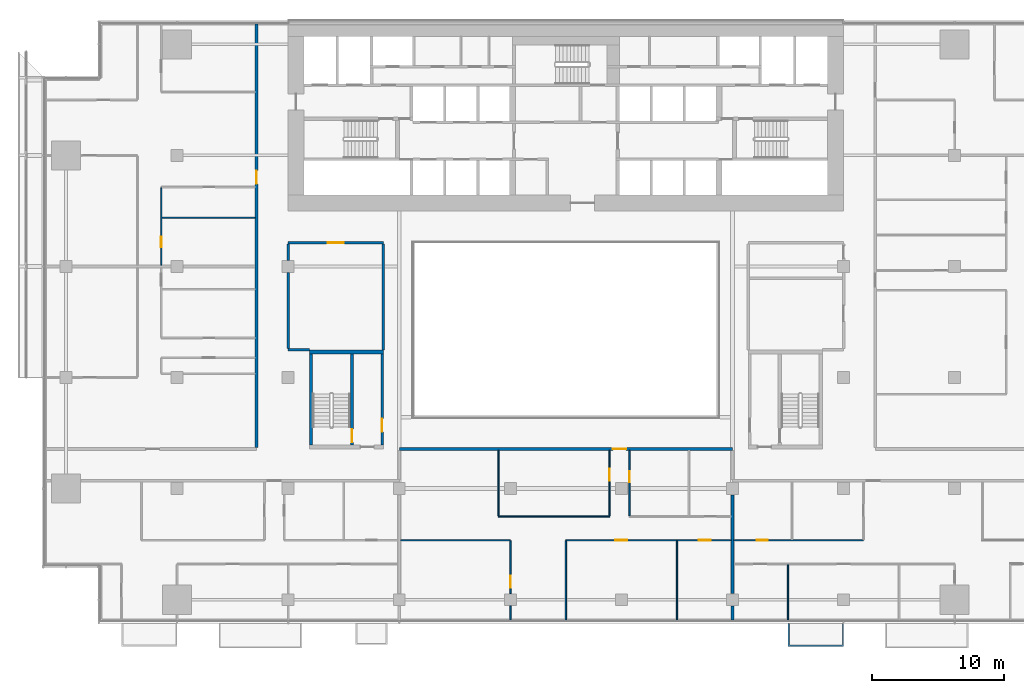
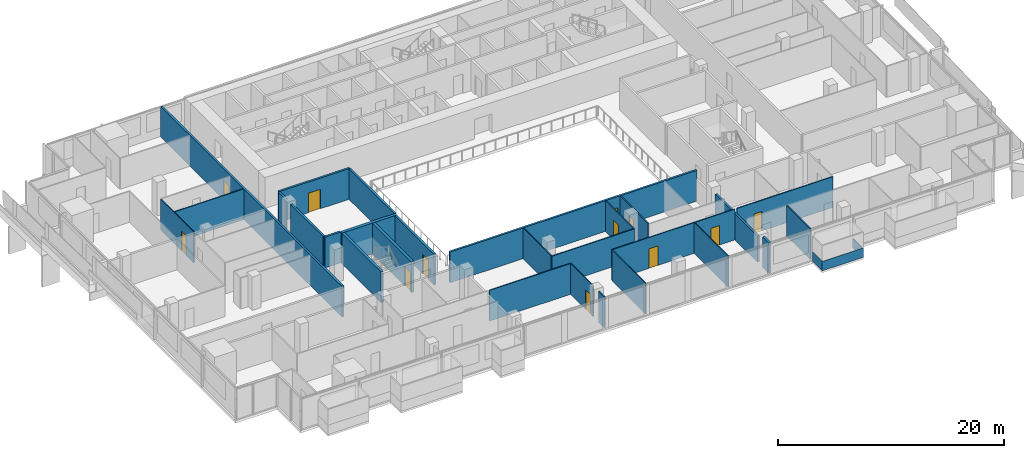
# One storey, part 19 of 28: 28 walls, 12 doors, 12 openings.
"""IFC4 building model written with IfcOpenShell, lengths in metres."""

from ifc_helpers import new_model, si_unit, direction, frame, frame_2d, origin, place, context, subcontext, project, spatial, polyline, rectangle, outline, extrude, material, layer, layer_set, type_object, element, fill, save


model = new_model("IFC4")

# Units and contexts
model_context = context("Model", 3, precision=1e-05, world=origin(), true_north=direction((0.0, 1.0)))
body_context = subcontext(model_context, "Body", "Model", "MODEL_VIEW")
ifc_project = project(units=[si_unit("LENGTHUNIT", "METRE"), si_unit("AREAUNIT", "SQUARE_METRE"), si_unit("VOLUMEUNIT", "CUBIC_METRE"), si_unit("PLANEANGLEUNIT", "RADIAN"), si_unit("MASSUNIT", "GRAM", prefix="KILO")], contexts=[model_context])

# Site, building, storey
site_placement = place(None, origin())
site = spatial("IfcSite", under=ifc_project, at=site_placement, CompositionType="ELEMENT")
building_placement = place(site_placement, origin())
building = spatial("IfcBuilding", under=site, at=building_placement, Name="Saffron Gate Tower", CompositionType="ELEMENT")
storey_placement = place(building_placement, frame((0.0, 0.0, 51.60009765625)))
storey = spatial("IfcBuildingStorey", under=building, at=storey_placement, Name="L11", CompositionType="ELEMENT", Elevation=51.60009765625)

# Wall, opening, door
ifc_material_1 = material(Name="Gypsum board partition on steel studs", Category="steel")
ifc_layer_1 = layer(ifc_material_1, 0.199951171875)
ifc_layer_set_1 = layer_set([ifc_layer_1], Name="CW10 Core partition 200")
wall_type_1 = type_object("IfcWallType", Name="CW10 Core partition 200", PredefinedType="PARTITIONING", material=ifc_layer_set_1)
wall_1_placement = place(storey_placement, frame((73.699951171875, 43.5, 0.0), z_axis=(0.0, 0.0, 1.0), x_axis=(0.0, 1.0, 0.0)))
wall_1 = element("IfcWall", 1, at=wall_1_placement, inside=storey, type_object=wall_type_1, Name="Wall CW10-L11-D-4", PredefinedType="PARTITIONING", context=body_context, shape_type="SweptSolid", body=[
    extrude(rectangle(XDim=6.89990234375, YDim=0.199951171875, at=frame_2d((3.449951171875, 0.0))), origin(), (0.0, 0.0, 1.0), 3.31982421875),
])
opening_1_placement = place(wall_1_placement, frame((1.0, 0.0, 0.0)))
opening_1 = element("IfcOpeningElement", 2, at=opening_1_placement, cuts=wall_1, Name="Opening CR-19", PredefinedType="OPENING", context=body_context, shape_type="SweptSolid", body=[
    extrude(rectangle(XDim=1.0, YDim=2.10009765625, at=frame_2d((0.5, 1.050048828125))), frame((0.0, 0.10986328125, 0.0), z_axis=(0.0, -1.0, 0.0), x_axis=(1.0, 0.0, 0.0)), (0.0, 0.0, 1.0), 0.219970703125),
])
ifc_material_2 = material(Name="Steel fire door set", Category="steel")
door_type_1 = type_object("IfcDoorType", Name="CD4 Lobby door 1000x2100 EI 120", OperationType="NOTDEFINED", PredefinedType="DOOR", material=ifc_material_2)
door_1_placement = place(opening_1_placement, origin())
door_1 = element("IfcDoor", 3, at=door_1_placement, inside=storey, type_object=door_type_1, Name="DOOR CR-19", OperationType="SINGLE_SWING_RIGHT", OverallHeight=2.10009765625, OverallWidth=1.0, PredefinedType="DOOR", context=body_context, shape_type="SweptSolid", body=[
    extrude(rectangle(XDim=1.0, YDim=2.10009765625, at=frame_2d((0.5, 1.050048828125))), frame((0.0, 0.02490234375, 0.0), z_axis=(0.0, -1.0, 0.0), x_axis=(1.0, 0.0, 0.0)), (0.0, 0.0, 1.0), 0.050048828125),
])
fill(opening_1, door_1)

# Wall
ifc_material_3 = material(Name="Concrete C70", Category="concrete")
ifc_layer_2 = layer(ifc_material_3, 0.25)
ifc_layer_set_2 = layer_set([ifc_layer_2], Name="CW2 RC core wall 250 C70")
wall_type_2 = type_object("IfcWallType", Name="CW2 RC core wall 250 C70", PredefinedType="SOLIDWALL", material=ifc_layer_set_2)
wall_2_placement = place(storey_placement, frame((68.324951171875, 43.5, 0.0), z_axis=(0.0, 0.0, 1.0), x_axis=(0.0, 1.0, 0.0)))
element("IfcWall", 4, at=wall_2_placement, inside=storey, type_object=wall_type_2, Name="Wall CW2-L11-D-2", PredefinedType="SOLIDWALL", context=body_context, shape_type="SweptSolid", body=[
    extrude(rectangle(XDim=6.89990234375, YDim=0.25, at=frame_2d((3.449951171875, 0.0))), origin(), (0.0, 0.0, 1.0), 3.31982421875),
])

# Wall, opening, door
wall_3_placement = place(storey_placement, frame((71.425048828125, 43.5, 0.0), z_axis=(0.0, 0.0, 1.0), x_axis=(0.0, 1.0, 0.0)))
wall_3 = element("IfcWall", 5, at=wall_3_placement, inside=storey, type_object=wall_type_2, Name="Wall CW2-L11-D-3", PredefinedType="SOLIDWALL", context=body_context, shape_type="SweptSolid", body=[
    extrude(rectangle(XDim=6.89990234375, YDim=0.25, at=frame_2d((3.449951171875, 0.0))), origin(), (0.0, 0.0, 1.0), 3.31982421875),
])
opening_2_placement = place(wall_3_placement, frame((0.199951171875, 0.0, 0.0)))
opening_2 = element("IfcOpeningElement", 6, at=opening_2_placement, cuts=wall_3, Name="Opening CR-20", PredefinedType="OPENING", context=body_context, shape_type="SweptSolid", body=[
    extrude(rectangle(XDim=1.0, YDim=2.10009765625, at=frame_2d((0.5, 1.050048828125))), frame((0.0, 0.135009765625, 0.0), z_axis=(0.0, -1.0, 0.0), x_axis=(1.0, 0.0, 0.0)), (0.0, 0.0, 1.0), 0.27001953125),
])
door_type_2 = type_object("IfcDoorType", Name="CD5 Stair door 1000x2100 EI 120", OperationType="NOTDEFINED", PredefinedType="DOOR", material=ifc_material_2)
door_2_placement = place(opening_2_placement, origin())
door_2 = element("IfcDoor", 7, at=door_2_placement, inside=storey, type_object=door_type_2, Name="DOOR CR-20", OperationType="SINGLE_SWING_LEFT", OverallHeight=2.10009765625, OverallWidth=1.0, PredefinedType="DOOR", context=body_context, shape_type="SweptSolid", body=[
    extrude(rectangle(XDim=1.0, YDim=2.10009765625, at=frame_2d((0.5, 1.050048828125))), frame((0.0, 0.02490234375, 0.0), z_axis=(0.0, -1.0, 0.0), x_axis=(1.0, 0.0, 0.0)), (0.0, 0.0, 1.0), 0.050048828125),
])
fill(opening_2, door_2)

# Walls
ifc_layer_3 = layer(ifc_material_3, 0.300048828125)
ifc_layer_set_3 = layer_set([ifc_layer_3], Name="CW5 RC core wall 300 C70")
wall_type_3 = type_object("IfcWallType", Name="CW5 RC core wall 300 C70", PredefinedType="SOLIDWALL", material=ifc_layer_set_3)
wall_4_placement = place(storey_placement, frame((68.199951171875, 50.550048828125, 0.0), z_axis=(0.0, 0.0, 1.0), x_axis=(1.0, 0.0, 0.0)))
element("IfcWall", 8, at=wall_4_placement, inside=storey, type_object=wall_type_3, Name="Wall CW5-L11-D-5", PredefinedType="SOLIDWALL", context=body_context, shape_type="SweptSolid", body=[
    extrude(rectangle(XDim=5.60009765625, YDim=0.300048828125, at=frame_2d((2.800048828125, 0.0))), origin(), (0.0, 0.0, 1.0), 3.31982421875),
])
ifc_material_4 = material(Name="Plasterboard on steel studs", Category="steel")
ifc_layer_4 = layer(ifc_material_4, 0.10009765625)
ifc_layer_set_4 = layer_set([ifc_layer_4], Name="PW1 Partition 100")
wall_type_4 = type_object("IfcWallType", Name="PW1 Partition 100", PredefinedType="PARTITIONING", material=ifc_layer_set_4)
wall_5_placement = place(storey_placement, frame((82.5, 38.10009765625, 0.0), z_axis=(0.0, 0.0, 1.0), x_axis=(1.0, 0.0, 0.0)))
element("IfcWall", 9, at=wall_5_placement, inside=storey, type_object=wall_type_4, Name="Partition A2-7", PredefinedType="PARTITIONING", context=body_context, shape_type="SweptSolid", body=[
    extrude(rectangle(XDim=8.39990234375, YDim=0.10009765625, at=frame_2d((4.199951171875, 0.0))), origin(), (0.0, 0.0, 1.0), 3.31982421875),
])
wall_6_placement = place(storey_placement, frame((57.050048828125, 60.6806640625, 0.0), z_axis=(0.0, 0.0, 1.0), x_axis=(1.0, 0.0, 0.0)))
element("IfcWall", 10, at=wall_6_placement, inside=storey, type_object=wall_type_4, Name="Partition A2-40", PredefinedType="PARTITIONING", context=body_context, shape_type="SweptSolid", body=[
    extrude(rectangle(XDim=7.050048828125, YDim=0.10009765625, at=frame_2d((3.52490234375, 0.0))), origin(), (0.0, 0.0, 1.0), 3.31982421875),
])
wall_7_placement = place(storey_placement, frame((82.5, 43.10009765625, 0.0), z_axis=(0.0, 0.0, 1.0), x_axis=(0.0, -1.0, 0.0)))
element("IfcWall", 11, at=wall_7_placement, inside=storey, type_object=wall_type_4, Name="Partition A2-71", PredefinedType="PARTITIONING", context=body_context, shape_type="SweptSolid", body=[
    extrude(rectangle(XDim=4.9501953125, YDim=0.10009765625, at=frame_2d((2.47509765625, 0.0))), origin(), (0.0, 0.0, 1.0), 3.31982421875),
])
wall_8_placement = place(storey_placement, frame((83.39990234375, 31.330078125, 0.0), z_axis=(0.0, 0.0, 1.0), x_axis=(0.0, -1.0, 0.0)))
element("IfcWall", 12, at=wall_8_placement, inside=storey, type_object=wall_type_4, Name="Partition A2-72", PredefinedType="PARTITIONING", context=body_context, shape_type="SweptSolid", body=[
    extrude(rectangle(XDim=1.050048828125, YDim=0.10009765625, at=frame_2d((0.52490234375, 0.0))), origin(), (0.0, 0.0, 1.0), 3.31982421875),
])

# Wall, opening, door
wall_9_placement = place(storey_placement, frame((83.39990234375, 32.27001953125, 0.0), z_axis=(0.0, 0.0, 1.0), x_axis=(0.0, 1.0, 0.0)))
wall_9 = element("IfcWall", 13, at=wall_9_placement, inside=storey, type_object=wall_type_4, Name="Partition A2-73", PredefinedType="PARTITIONING", context=body_context, shape_type="SweptSolid", body=[
    extrude(rectangle(XDim=3.97998046875, YDim=0.10009765625, at=frame_2d((1.989990234375, 0.0))), origin(), (0.0, 0.0, 1.0), 3.31982421875),
])
opening_3_placement = place(wall_9_placement, frame((0.429931640625, 0.0, 0.0)))
opening_3 = element("IfcOpeningElement", 14, at=opening_3_placement, cuts=wall_9, Name="Opening A2-12", PredefinedType="OPENING", context=body_context, shape_type="SweptSolid", body=[
    extrude(rectangle(XDim=0.89990234375, YDim=2.10009765625, at=frame_2d((0.449951171875, 1.050048828125))), frame((0.0, 0.06005859375, 0.0), z_axis=(0.0, -1.0, 0.0), x_axis=(1.0, 0.0, 0.0)), (0.0, 0.0, 1.0), 0.1201171875),
])
ifc_material_5 = material(Name="Timber door set", Category="wood")
door_type_3 = type_object("IfcDoorType", Name="RD1 Room door 900x2100", OperationType="NOTDEFINED", PredefinedType="DOOR", material=ifc_material_5)
door_3_placement = place(opening_3_placement, origin())
door_3 = element("IfcDoor", 15, at=door_3_placement, inside=storey, type_object=door_type_3, Name="Door A2-12", OperationType="SINGLE_SWING_LEFT", OverallHeight=2.10009765625, OverallWidth=0.89990234375, PredefinedType="DOOR", context=body_context, shape_type="SweptSolid", body=[
    extrude(rectangle(XDim=0.89990234375, YDim=2.10009765625, at=frame_2d((0.449951171875, 1.050048828125))), frame((0.0, 0.02490234375, 0.0), z_axis=(0.0, -1.0, 0.0), x_axis=(1.0, 0.0, 0.0)), (0.0, 0.0, 1.0), 0.050048828125),
])
fill(opening_3, door_3)

# Wall
wall_10_placement = place(storey_placement, frame((87.60009765625, 36.25, 0.0), z_axis=(0.0, 0.0, 1.0), x_axis=(0.0, -1.0, 0.0)))
element("IfcWall", 16, at=wall_10_placement, inside=storey, type_object=wall_type_4, Name="Partition A2-74", PredefinedType="PARTITIONING", context=body_context, shape_type="SweptSolid", body=[
    extrude(rectangle(XDim=5.969970703125, YDim=0.10009765625, at=frame_2d((2.98486328125, 0.0))), origin(), (0.0, 0.0, 1.0), 3.31982421875),
])

# Wall, opening, door
wall_11_placement = place(storey_placement, frame((90.89990234375, 38.14990234375, 0.0), z_axis=(0.0, 0.0, 1.0), x_axis=(0.0, 1.0, 0.0)))
wall_11 = element("IfcWall", 17, at=wall_11_placement, inside=storey, type_object=wall_type_4, Name="Partition A2-75", PredefinedType="PARTITIONING", context=body_context, shape_type="SweptSolid", body=[
    extrude(rectangle(XDim=4.9501953125, YDim=0.10009765625, at=frame_2d((2.47509765625, 0.0))), origin(), (0.0, 0.0, 1.0), 3.31982421875),
])
opening_4_placement = place(wall_11_placement, frame((2.64990234375, 0.0, 0.0)))
opening_4 = element("IfcOpeningElement", 18, at=opening_4_placement, cuts=wall_11, Name="Opening A2-15", PredefinedType="OPENING", context=body_context, shape_type="SweptSolid", body=[
    extrude(rectangle(XDim=0.89990234375, YDim=2.10009765625, at=frame_2d((0.449951171875, 1.050048828125))), frame((0.0, 0.06005859375, 0.0), z_axis=(0.0, -1.0, 0.0), x_axis=(1.0, 0.0, 0.0)), (0.0, 0.0, 1.0), 0.1201171875),
])
door_4_placement = place(opening_4_placement, origin())
door_4 = element("IfcDoor", 19, at=door_4_placement, inside=storey, type_object=door_type_3, Name="Door A2-15", OperationType="SINGLE_SWING_RIGHT", OverallHeight=2.10009765625, OverallWidth=0.89990234375, PredefinedType="DOOR", context=body_context, shape_type="SweptSolid", body=[
    extrude(rectangle(XDim=0.89990234375, YDim=2.10009765625, at=frame_2d((0.449951171875, 1.050048828125))), frame((0.0, 0.02490234375, 0.0), z_axis=(0.0, -1.0, 0.0), x_axis=(1.0, 0.0, 0.0)), (0.0, 0.0, 1.0), 0.050048828125),
])
fill(opening_4, door_4)

wall_12_placement = place(storey_placement, frame((92.39990234375, 43.10009765625, 0.0), z_axis=(0.0, 0.0, 1.0), x_axis=(0.0, -1.0, 0.0)))
wall_12 = element("IfcWall", 20, at=wall_12_placement, inside=storey, type_object=wall_type_4, Name="Partition A2-76", PredefinedType="PARTITIONING", context=body_context, shape_type="SweptSolid", body=[
    extrude(rectangle(XDim=4.9501953125, YDim=0.10009765625, at=frame_2d((2.47509765625, 0.0))), origin(), (0.0, 0.0, 1.0), 3.31982421875),
])
opening_5_placement = place(wall_12_placement, frame((1.60009765625, 0.0, 0.0)))
opening_5 = element("IfcOpeningElement", 21, at=opening_5_placement, cuts=wall_12, Name="Opening A2-35", PredefinedType="OPENING", context=body_context, shape_type="SweptSolid", body=[
    extrude(rectangle(XDim=0.800048828125, YDim=2.10009765625, at=frame_2d((0.39990234375, 1.050048828125))), frame((0.0, 0.06005859375, 0.0), z_axis=(0.0, -1.0, 0.0), x_axis=(1.0, 0.0, 0.0)), (0.0, 0.0, 1.0), 0.1201171875),
])
door_type_4 = type_object("IfcDoorType", Name="RD2 Bathroom door 800x2100", OperationType="NOTDEFINED", PredefinedType="DOOR", material=ifc_material_5)
door_5_placement = place(opening_5_placement, origin())
door_5 = element("IfcDoor", 22, at=door_5_placement, inside=storey, type_object=door_type_4, Name="Door A2-35", OperationType="SINGLE_SWING_LEFT", OverallHeight=2.10009765625, OverallWidth=0.800048828125, PredefinedType="DOOR", context=body_context, shape_type="SweptSolid", body=[
    extrude(rectangle(XDim=0.800048828125, YDim=2.10009765625, at=frame_2d((0.39990234375, 1.050048828125))), frame((0.0, 0.02490234375, 0.0), z_axis=(0.0, -1.0, 0.0), x_axis=(1.0, 0.0, 0.0)), (0.0, 0.0, 1.0), 0.050048828125),
])
fill(opening_5, door_5)

# Walls
wall_13_placement = place(storey_placement, frame((96.0, 36.25, 0.0), z_axis=(0.0, 0.0, 1.0), x_axis=(0.0, -1.0, 0.0)))
element("IfcWall", 23, at=wall_13_placement, inside=storey, type_object=wall_type_4, Name="Partition A2-77", PredefinedType="PARTITIONING", context=body_context, shape_type="SweptSolid", body=[
    extrude(rectangle(XDim=5.969970703125, YDim=0.10009765625, at=frame_2d((2.98486328125, 0.0))), origin(), (0.0, 0.0, 1.0), 3.31982421875),
])
wall_14_placement = place(storey_placement, frame((104.39990234375, 34.449951171875, 0.0), z_axis=(0.0, 0.0, 1.0), x_axis=(0.0, -1.0, 0.0)))
element("IfcWall", 24, at=wall_14_placement, inside=storey, type_object=wall_type_4, Name="Partition A2-83", PredefinedType="PARTITIONING", context=body_context, shape_type="SweptSolid", body=[
    extrude(rectangle(XDim=4.169921875, YDim=0.10009765625, at=frame_2d((2.0849609375, 0.0))), origin(), (0.0, 0.0, 1.0), 3.31982421875),
])
wall_15_placement = place(storey_placement, frame((75.10009765625, 36.300048828125, 0.0), z_axis=(0.0, 0.0, 1.0), x_axis=(1.0, 0.0, 0.0)))
element("IfcWall", 25, at=wall_15_placement, inside=storey, type_object=wall_type_4, Name="Partition A2-100", PredefinedType="PARTITIONING", context=body_context, shape_type="SweptSolid", body=[
    extrude(rectangle(XDim=8.2998046875, YDim=0.10009765625, at=frame_2d((4.14990234375, 0.0))), origin(), (0.0, 0.0, 1.0), 3.31982421875),
])

# Wall, openings, doors
wall_16_placement = place(storey_placement, frame((100.10009765625, 36.300048828125, 0.0), z_axis=(0.0, 0.0, 1.0), x_axis=(-1.0, 0.0, 0.0)))
wall_16 = element("IfcWall", 26, at=wall_16_placement, inside=storey, type_object=wall_type_4, Name="Partition A2-101", PredefinedType="PARTITIONING", context=body_context, shape_type="SweptSolid", body=[
    extrude(rectangle(XDim=12.5, YDim=0.10009765625, at=frame_2d((6.25, 0.0))), origin(), (0.0, 0.0, 1.0), 3.31982421875),
])
opening_6_placement = place(wall_16_placement, frame((1.550048828125, 0.0, 0.0)))
opening_6 = element("IfcOpeningElement", 27, at=opening_6_placement, cuts=wall_16, Name="Opening A2-14", PredefinedType="OPENING", context=body_context, shape_type="SweptSolid", body=[
    extrude(rectangle(XDim=0.89990234375, YDim=2.10009765625, at=frame_2d((0.449951171875, 1.050048828125))), frame((0.0, 0.06005859375, 0.0), z_axis=(0.0, -1.0, 0.0), x_axis=(1.0, 0.0, 0.0)), (0.0, 0.0, 1.0), 0.1201171875),
])
opening_7_placement = place(wall_16_placement, frame((7.85009765625, 0.0, 0.0)))
opening_7 = element("IfcOpeningElement", 28, at=opening_7_placement, cuts=wall_16, Name="Opening A2-13", PredefinedType="OPENING", context=body_context, shape_type="SweptSolid", body=[
    extrude(rectangle(XDim=0.89990234375, YDim=2.10009765625, at=frame_2d((0.449951171875, 1.050048828125))), frame((0.0, 0.06005859375, 0.0), z_axis=(0.0, -1.0, 0.0), x_axis=(1.0, 0.0, 0.0)), (0.0, 0.0, 1.0), 0.1201171875),
])
door_6_placement = place(opening_6_placement, origin())
door_6 = element("IfcDoor", 29, at=door_6_placement, inside=storey, type_object=door_type_3, Name="Door A2-14", OperationType="SINGLE_SWING_LEFT", OverallHeight=2.10009765625, OverallWidth=0.89990234375, PredefinedType="DOOR", context=body_context, shape_type="SweptSolid", body=[
    extrude(rectangle(XDim=0.89990234375, YDim=2.10009765625, at=frame_2d((0.449951171875, 1.050048828125))), frame((0.0, 0.02490234375, 0.0), z_axis=(0.0, -1.0, 0.0), x_axis=(1.0, 0.0, 0.0)), (0.0, 0.0, 1.0), 0.050048828125),
])
fill(opening_6, door_6)
door_7_placement = place(opening_7_placement, origin())
door_7 = element("IfcDoor", 30, at=door_7_placement, inside=storey, type_object=door_type_3, Name="Door A2-13", OperationType="SINGLE_SWING_RIGHT", OverallHeight=2.10009765625, OverallWidth=0.89990234375, PredefinedType="DOOR", context=body_context, shape_type="SweptSolid", body=[
    extrude(rectangle(XDim=0.89990234375, YDim=2.10009765625, at=frame_2d((0.449951171875, 1.050048828125))), frame((0.0, 0.02490234375, 0.0), z_axis=(0.0, -1.0, 0.0), x_axis=(1.0, 0.0, 0.0)), (0.0, 0.0, 1.0), 0.050048828125),
])
fill(opening_7, door_7)

# Wall, opening, door
wall_17_placement = place(storey_placement, frame((100.300048828125, 36.300048828125, 0.0), z_axis=(0.0, 0.0, 1.0), x_axis=(1.0, 0.0, 0.0)))
wall_17 = element("IfcWall", 31, at=wall_17_placement, inside=storey, type_object=wall_type_4, Name="Partition A2-102", PredefinedType="PARTITIONING", context=body_context, shape_type="SweptSolid", body=[
    extrude(rectangle(XDim=9.800048828125, YDim=0.10009765625, at=frame_2d((4.89990234375, 0.0))), origin(), (0.0, 0.0, 1.0), 3.31982421875),
])
opening_8_placement = place(wall_17_placement, frame((1.75, 0.0, 0.0)))
opening_8 = element("IfcOpeningElement", 32, at=opening_8_placement, cuts=wall_17, Name="Opening A2-37", PredefinedType="OPENING", context=body_context, shape_type="SweptSolid", body=[
    extrude(rectangle(XDim=0.800048828125, YDim=2.10009765625, at=frame_2d((0.39990234375, 1.050048828125))), frame((0.0, 0.06005859375, 0.0), z_axis=(0.0, -1.0, 0.0), x_axis=(1.0, 0.0, 0.0)), (0.0, 0.0, 1.0), 0.1201171875),
])
door_8_placement = place(opening_8_placement, origin())
door_8 = element("IfcDoor", 33, at=door_8_placement, inside=storey, type_object=door_type_4, Name="Door A2-37", OperationType="SINGLE_SWING_LEFT", OverallHeight=2.10009765625, OverallWidth=0.800048828125, PredefinedType="DOOR", context=body_context, shape_type="SweptSolid", body=[
    extrude(rectangle(XDim=0.800048828125, YDim=2.10009765625, at=frame_2d((0.39990234375, 1.050048828125))), frame((0.0, 0.02490234375, 0.0), z_axis=(0.0, -1.0, 0.0), x_axis=(1.0, 0.0, 0.0)), (0.0, 0.0, 1.0), 0.050048828125),
])
fill(opening_8, door_8)

wall_18_placement = place(storey_placement, frame((57.0, 62.949951171875, 0.0), z_axis=(0.0, 0.0, 1.0), x_axis=(0.0, -1.0, 0.0)))
wall_18 = element("IfcWall", 34, at=wall_18_placement, inside=storey, type_object=wall_type_4, Name="Partition A2-106", PredefinedType="PARTITIONING", context=body_context, shape_type="SweptSolid", body=[
    extrude(rectangle(XDim=5.849853515625, YDim=0.10009765625, at=frame_2d((2.9248046875, 0.0))), origin(), (0.0, 0.0, 1.0), 3.31982421875),
])
opening_9_placement = place(wall_18_placement, frame((3.709716796875, 0.0, 0.0)))
opening_9 = element("IfcOpeningElement", 35, at=opening_9_placement, cuts=wall_18, Name="Opening A2-40", PredefinedType="OPENING", context=body_context, shape_type="SweptSolid", body=[
    extrude(rectangle(XDim=0.800048828125, YDim=2.10009765625, at=frame_2d((0.39990234375, 1.050048828125))), frame((0.0, 0.06005859375, 0.0), z_axis=(0.0, -1.0, 0.0), x_axis=(1.0, 0.0, 0.0)), (0.0, 0.0, 1.0), 0.1201171875),
])
door_9_placement = place(opening_9_placement, origin())
door_9 = element("IfcDoor", 36, at=door_9_placement, inside=storey, type_object=door_type_4, Name="Door A2-40", OperationType="SINGLE_SWING_RIGHT", OverallHeight=2.10009765625, OverallWidth=0.800048828125, PredefinedType="DOOR", context=body_context, shape_type="SweptSolid", body=[
    extrude(rectangle(XDim=0.800048828125, YDim=2.10009765625, at=frame_2d((0.39990234375, 1.050048828125))), frame((0.0, 0.02490234375, 0.0), z_axis=(0.0, -1.0, 0.0), x_axis=(1.0, 0.0, 0.0)), (0.0, 0.0, 1.0), 0.050048828125),
])
fill(opening_9, door_9)

# Walls
ifc_material_6 = material(Name="Clay brick masonry, rendered", Category="masonry")
ifc_layer_5 = layer(ifc_material_6, 0.199951171875)
ifc_layer_set_5 = layer_set([ifc_layer_5], Name="PW2 Demising wall 200")
wall_type_5 = type_object("IfcWallType", Name="PW2 Demising wall 200", PredefinedType="PARTITIONING", material=ifc_layer_set_5)
wall_19_placement = place(storey_placement, frame((100.199951171875, 31.330078125, 0.0), z_axis=(0.0, 0.0, 1.0), x_axis=(0.0, -1.0, 0.0)))
element("IfcWall", 37, at=wall_19_placement, inside=storey, type_object=wall_type_5, Name="Wall A2-80", PredefinedType="PARTITIONING", context=body_context, shape_type="SweptSolid", body=[
    extrude(rectangle(XDim=1.050048828125, YDim=0.199951171875, at=frame_2d((0.52490234375, 0.0))), origin(), (0.0, 0.0, 1.0), 3.31982421875),
])
wall_20_placement = place(storey_placement, frame((100.199951171875, 39.72998046875, 0.0), z_axis=(0.0, 0.0, 1.0), x_axis=(0.0, -1.0, 0.0)))
element("IfcWall", 38, at=wall_20_placement, inside=storey, type_object=wall_type_5, Name="Wall A2-81", PredefinedType="PARTITIONING", context=body_context, shape_type="SweptSolid", body=[
    extrude(rectangle(XDim=7.4599609375, YDim=0.199951171875, at=frame_2d((3.72998046875, 0.0))), origin(), (0.0, 0.0, 1.0), 2.829833984375),
])

# Wall, opening, door
ifc_layer_6 = layer(ifc_material_6, 0.199951171875)
ifc_layer_set_6 = layer_set([ifc_layer_6], Name="PW3 Corridor wall 200")
wall_type_6 = type_object("IfcWallType", Name="PW3 Corridor wall 200", PredefinedType="PARTITIONING", material=ifc_layer_set_6)
wall_21_placement = place(storey_placement, frame((100.199951171875, 43.199951171875, 0.0), z_axis=(0.0, 0.0, 1.0), x_axis=(-1.0, 0.0, 0.0)))
wall_21 = element("IfcWall", 39, at=wall_21_placement, inside=storey, type_object=wall_type_6, Name="Wall A2-14", PredefinedType="PARTITIONING", context=body_context, shape_type="SweptSolid", body=[
    extrude(rectangle(XDim=25.199951171875, YDim=0.199951171875, at=frame_2d((12.60009765625, 0.0))), origin(), (0.0, 0.0, 1.0), 3.31982421875),
])
opening_10_placement = place(wall_21_placement, frame((8.050048828125, 0.0, 0.0)))
opening_10 = element("IfcOpeningElement", 40, at=opening_10_placement, cuts=wall_21, Name="Opening A2-2", PredefinedType="OPENING", context=body_context, shape_type="SweptSolid", body=[
    extrude(rectangle(XDim=1.0, YDim=2.10009765625, at=frame_2d((0.5, 1.050048828125))), frame((0.0, 0.10986328125, 0.0), z_axis=(0.0, -1.0, 0.0), x_axis=(1.0, 0.0, 0.0)), (0.0, 0.0, 1.0), 0.219970703125),
])
ifc_material_7 = material(Name="Timber fire door set", Category="wood")
door_type_5 = type_object("IfcDoorType", Name="FD1 Flat entry door 1000x2100", OperationType="NOTDEFINED", PredefinedType="DOOR", material=ifc_material_7)
door_10_placement = place(opening_10_placement, origin())
door_10 = element("IfcDoor", 41, at=door_10_placement, inside=storey, type_object=door_type_5, Name="Door A2-2", OperationType="SINGLE_SWING_RIGHT", OverallHeight=2.10009765625, OverallWidth=1.0, PredefinedType="DOOR", context=body_context, shape_type="SweptSolid", body=[
    extrude(rectangle(XDim=1.0, YDim=2.10009765625, at=frame_2d((0.5, 1.050048828125))), frame((0.0, 0.02490234375, 0.0), z_axis=(0.0, -1.0, 0.0), x_axis=(1.0, 0.0, 0.0)), (0.0, 0.0, 1.0), 0.050048828125),
])
fill(opening_10, door_10)

# Wall
wall_22_placement = place(storey_placement, frame((66.60009765625, 50.699951171875, 0.0), z_axis=(0.0, 0.0, 1.0), x_axis=(1.0, 0.0, 0.0)))
element("IfcWall", 42, at=wall_22_placement, inside=storey, type_object=wall_type_6, Name="Wall A2-24", PredefinedType="PARTITIONING", context=body_context, shape_type="SweptSolid", body=[
    extrude(rectangle(XDim=1.599853515625, YDim=0.199951171875, at=frame_2d((0.7998046875, 0.0))), origin(), (0.0, 0.0, 1.0), 3.31982421875),
])

# Wall, opening, door
wall_23_placement = place(storey_placement, frame((73.800048828125, 58.800048828125, 0.0), z_axis=(0.0, 0.0, 1.0), x_axis=(-1.0, 0.0, 0.0)))
wall_23 = element("IfcWall", 43, at=wall_23_placement, inside=storey, type_object=wall_type_6, Name="Wall A2-37", PredefinedType="PARTITIONING", context=body_context, shape_type="SweptSolid", body=[
    extrude(rectangle(XDim=7.199951171875, YDim=0.199951171875, at=frame_2d((3.60009765625, 0.0))), origin(), (0.0, 0.0, 1.0), 3.31982421875),
])
opening_11_placement = place(wall_23_placement, frame((3.0, 0.0, 0.0)))
opening_11 = element("IfcOpeningElement", 44, at=opening_11_placement, cuts=wall_23, Name="Opening A2-46", PredefinedType="OPENING", context=body_context, shape_type="SweptSolid", body=[
    extrude(rectangle(XDim=1.199951171875, YDim=2.10009765625, at=frame_2d((0.60009765625, 1.050048828125))), frame((0.0, 0.10986328125, 0.0), z_axis=(0.0, -1.0, 0.0), x_axis=(1.0, 0.0, 0.0)), (0.0, 0.0, 1.0), 0.219970703125),
])
door_type_6 = type_object("IfcDoorType", Name="HD1 Hall door 1200x2100", OperationType="NOTDEFINED", PredefinedType="DOOR", material=ifc_material_5)
door_11_placement = place(opening_11_placement, origin())
door_11 = element("IfcDoor", 45, at=door_11_placement, inside=storey, type_object=door_type_6, Name="Door A2-46", OperationType="SINGLE_SWING_LEFT", OverallHeight=2.10009765625, OverallWidth=1.199951171875, PredefinedType="DOOR", context=body_context, shape_type="SweptSolid", body=[
    extrude(rectangle(XDim=1.199951171875, YDim=2.10009765625, at=frame_2d((0.60009765625, 1.050048828125))), frame((0.0, 0.02490234375, 0.0), z_axis=(0.0, -1.0, 0.0), x_axis=(1.0, 0.0, 0.0)), (0.0, 0.0, 1.0), 0.050048828125),
])
fill(opening_11, door_11)

wall_24_placement = place(storey_placement, frame((64.199951171875, 43.300048828125, 0.0), z_axis=(0.0, 0.0, 1.0), x_axis=(0.0, 1.0, 0.0)))
wall_24 = element("IfcWall", 46, at=wall_24_placement, inside=storey, type_object=wall_type_6, Name="Wall A2-59", PredefinedType="PARTITIONING", context=body_context, shape_type="SweptSolid", body=[
    extrude(rectangle(XDim=32.02001953125, YDim=0.199951171875, at=frame_2d((16.010009765625, 0.0))), origin(), (0.0, 0.0, 1.0), 3.31982421875),
])
opening_12_placement = place(wall_24_placement, frame((19.949951171875, 0.0, 0.0)))
opening_12 = element("IfcOpeningElement", 47, at=opening_12_placement, cuts=wall_24, Name="Opening A2-5", PredefinedType="OPENING", context=body_context, shape_type="SweptSolid", body=[
    extrude(rectangle(XDim=1.0, YDim=2.10009765625, at=frame_2d((0.5, 1.050048828125))), frame((0.0, 0.10986328125, 0.0), z_axis=(0.0, -1.0, 0.0), x_axis=(1.0, 0.0, 0.0)), (0.0, 0.0, 1.0), 0.219970703125),
])
door_12_placement = place(opening_12_placement, origin())
door_12 = element("IfcDoor", 48, at=door_12_placement, inside=storey, type_object=door_type_5, Name="Door A2-5", OperationType="SINGLE_SWING_RIGHT", OverallHeight=2.10009765625, OverallWidth=1.0, PredefinedType="DOOR", context=body_context, shape_type="SweptSolid", body=[
    extrude(rectangle(XDim=1.0, YDim=2.10009765625, at=frame_2d((0.5, 1.050048828125))), frame((0.0, 0.02490234375, 0.0), z_axis=(0.0, -1.0, 0.0), x_axis=(1.0, 0.0, 0.0)), (0.0, 0.0, 1.0), 0.050048828125),
])
fill(opening_12, door_12)

# Walls
wall_25_placement = place(storey_placement, frame((66.60009765625, 56.530029296875, 0.0), z_axis=(0.0, 0.0, 1.0), x_axis=(0.0, -1.0, 0.0)))
element("IfcWall", 49, at=wall_25_placement, inside=storey, type_object=wall_type_6, Name="Wall A2-62", PredefinedType="PARTITIONING", context=body_context, shape_type="SweptSolid", body=[
    extrude(rectangle(XDim=5.72998046875, YDim=0.199951171875, at=frame_2d((2.864990234375, 0.0))), origin(), (0.0, 0.0, 1.0), 3.31982421875),
])
wall_26_placement = place(storey_placement, frame((66.60009765625, 58.699951171875, 0.0), z_axis=(0.0, 0.0, 1.0), x_axis=(0.0, -1.0, 0.0)))
element("IfcWall", 50, at=wall_26_placement, inside=storey, type_object=wall_type_6, Name="Wall A2-63", PredefinedType="PARTITIONING", context=body_context, shape_type="SweptSolid", body=[
    extrude(rectangle(XDim=1.22998046875, YDim=0.199951171875, at=frame_2d((0.614990234375, 0.0))), origin(), (0.0, 0.0, 1.0), 3.31982421875),
])
wall_27_placement = place(storey_placement, frame((73.800048828125, 58.699951171875, 0.0), z_axis=(0.0, 0.0, 1.0), x_axis=(0.0, -1.0, 0.0)))
element("IfcWall", 51, at=wall_27_placement, inside=storey, type_object=wall_type_6, Name="Wall A2-67", PredefinedType="PARTITIONING", context=body_context, shape_type="SweptSolid", body=[
    extrude(rectangle(XDim=8.0, YDim=0.199951171875, at=frame_2d((4.0, 0.0))), origin(), (0.0, 0.0, 1.0), 3.31982421875),
])
ifc_material_8 = material(Name="Rendered insulated panel, white")
ifc_layer_7 = layer(ifc_material_8, 0.10009765625)
ifc_layer_set_7 = layer_set([ifc_layer_7], Name="WB3 box parapet white")
wall_type_7 = type_object("IfcWallType", Name="WB3 box parapet white", PredefinedType="SOLIDWALL", material=ifc_layer_set_7)
wall_28_placement = place(storey_placement, origin())
element("IfcWall", 52, at=wall_28_placement, inside=storey, type_object=wall_type_7, Name="WINDOW BOX parapet", PredefinedType="SOLIDWALL", context=body_context, shape_type="SweptSolid", body=[
    extrude(outline(polyline([(104.39990234375, 30.0), (104.5, 30.0), (104.5, 28.366943359375), (108.5, 28.366943359375), (108.5, 30.0), (108.60009765625, 30.0), (108.60009765625, 28.26708984375), (104.39990234375, 28.26708984375), (104.39990234375, 30.0)])), origin(), (0.0, 0.0, 1.0), 1.0),
])

save(model, "model.ifc")
